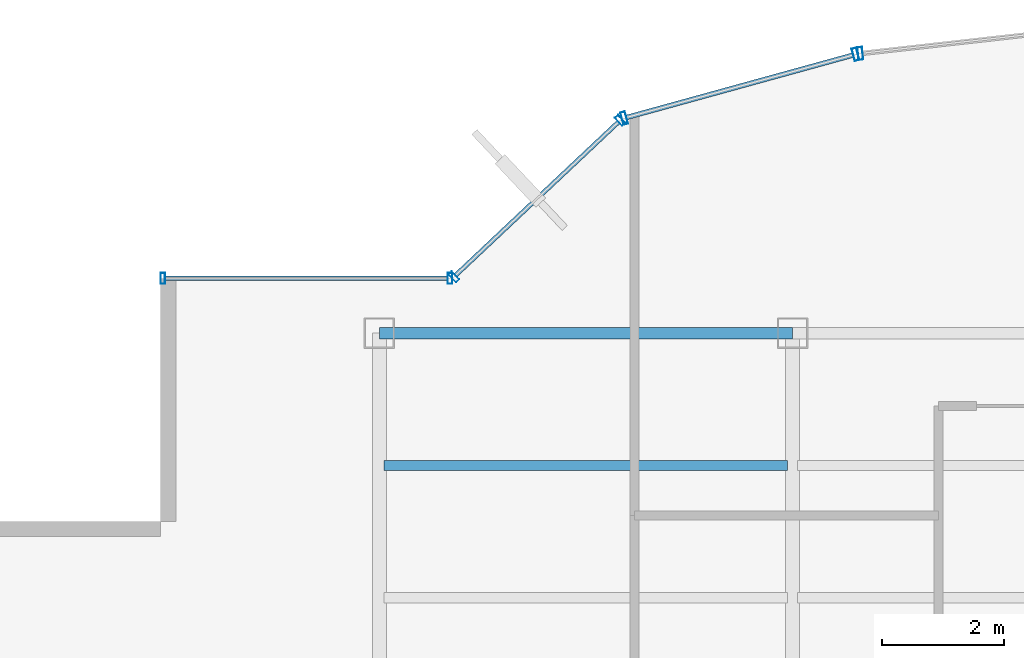
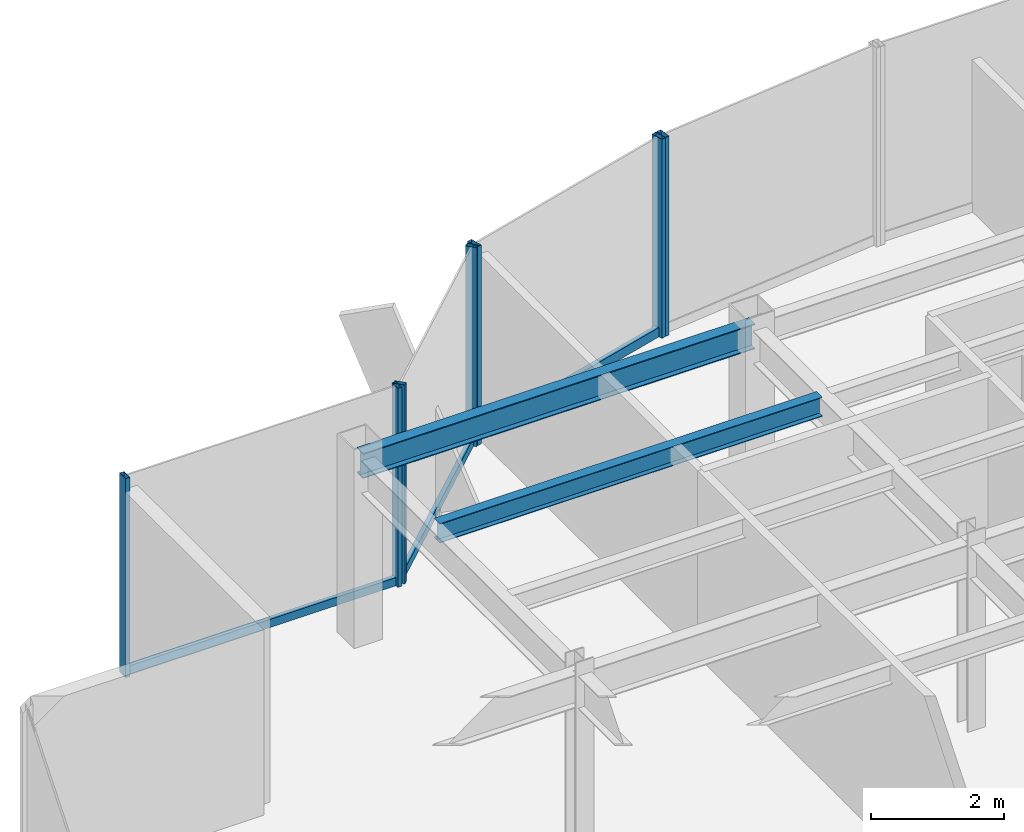
# One storey, part 12 of 22: 10 members, 2 beams, 4 elements without a shape of their own.
"""IFC4 building model written with IfcOpenShell, lengths in metres."""

from ifc_helpers import new_model, si_unit, derived_unit, direction, frame, origin, origin_2d, place, context, subcontext, project, spatial, hollow_rectangle, i_section, extrude, source, transform, mapped, material, material_profile, profile_set, type_object, element, aggregate, save


model = new_model("IFC4")

# Units and contexts
model_context = context("Model", 3, precision=1e-05, world=origin(), true_north=direction((0.0, 1.0)))
body_context = subcontext(model_context, "Body", "Model", "MODEL_VIEW")
ifc_project = project(units=[si_unit("LENGTHUNIT", "METRE"), si_unit("AREAUNIT", "SQUARE_METRE"), si_unit("VOLUMEUNIT", "CUBIC_METRE"), si_unit("PLANEANGLEUNIT", "RADIAN"), si_unit("MASSUNIT", "GRAM", prefix="KILO"), derived_unit("THERMALTRANSMITTANCEUNIT", [(si_unit("POWERUNIT", "WATT"), 1), (si_unit("LENGTHUNIT", "METRE"), -2), (si_unit("THERMODYNAMICTEMPERATUREUNIT", "KELVIN"), -1)])], contexts=[model_context])

# Site, building, storey
site_placement = place(None, origin())
site = spatial("IfcSite", under=ifc_project, at=site_placement, CompositionType="ELEMENT")
building_placement = place(site_placement, origin())
building = spatial("IfcBuilding", under=site, at=building_placement, Name="Skarnbrae Concourse Arena and Tower", CompositionType="ELEMENT")
storey_placement = place(building_placement, frame((0.0, 0.0, 206.85009765625)))
storey = spatial("IfcBuildingStorey", under=building, at=storey_placement, Name="L53", CompositionType="ELEMENT", Elevation=206.85009765625)

# Beams
ifc_material_1 = material(Name="Steel CSA G40.21 350W", Category="steel")
ifc_material_profile_1 = material_profile(ifc_material_1, i_section(OverallWidth=0.19091796875, OverallDepth=0.4599609375, WebThickness=0.010009765625, FlangeThickness=0.01611328125, at=origin_2d()), Name="W460X82")
ifc_profile_set_1 = profile_set([ifc_material_profile_1], Name="Steel CSA G40.21 350W")
beam_type_1 = type_object("IfcBeamType", Name="BM-SPAN-W460X82", PredefinedType="SPANDREL", material=ifc_profile_set_1)
shared_shape_1 = source(origin(), body_context, "Body", "SweptSolid", [
    extrude(i_section(OverallWidth=0.19091796875, OverallDepth=0.4599609375, WebThickness=0.010009765625, FlangeThickness=0.01611328125, at=origin_2d()), origin(), (0.0, 0.0, 1.0), 6.7998046875),
])
beam_1_placement = place(storey_placement, frame((7.60009765625, 34.39990234375, 3.169921875), z_axis=(1.0, 0.0, 0.0), x_axis=(0.0, 1.0, 0.0)))
element("IfcBeam", 1, at=beam_1_placement, inside=storey, type_object=beam_type_1, Name="L53 Perimeter spandrel Y34.4-1", PredefinedType="SPANDREL", context=body_context, shape_type="MappedRepresentation", body=[
    mapped(shared_shape_1, transform((0.0, 0.0, 0.0))),
])
ifc_material_profile_2 = material_profile(ifc_material_1, i_section(OverallWidth=0.1708984375, OverallDepth=0.35498046875, WebThickness=0.007080078125, FlangeThickness=0.01171875, at=origin_2d()), Name="W360X51")
ifc_profile_set_2 = profile_set([ifc_material_profile_2], Name="Steel CSA G40.21 350W")
beam_type_2 = type_object("IfcBeamType", Name="BM-JOIST-W360X51", PredefinedType="JOIST", material=ifc_profile_set_2)
shared_shape_2 = source(origin(), body_context, "Body", "SweptSolid", [
    extrude(i_section(OverallWidth=0.1708984375, OverallDepth=0.35498046875, WebThickness=0.007080078125, FlangeThickness=0.01171875, at=origin_2d()), origin(), (0.0, 0.0, 1.0), 6.64013671875),
])
beam_2_placement = place(storey_placement, frame((7.679931640625, 32.221923828125, 3.222412109375), z_axis=(1.0, 0.0, 0.0), x_axis=(0.0, 1.0, 0.0)))
element("IfcBeam", 2, at=beam_2_placement, inside=storey, type_object=beam_type_2, Name="L53 Secondary floor joist 3.2.1", PredefinedType="JOIST", context=body_context, shape_type="MappedRepresentation", body=[
    mapped(shared_shape_2, transform((0.0, 0.0, 0.0))),
])

# Curtain wall, member
ifc_material_2 = material(Name="Bronze anodised aluminium 6063-T6", Category="aluminium")
curtain_wall_type_1 = type_object("IfcCurtainWallType", Name="CW-SYS-03-PORTAL", PredefinedType="USERDEFINED", material=ifc_material_2)
curtain_wall_1_placement = place(storey_placement, origin())
curtain_wall_1 = element("IfcCurtainWall", 3, at=curtain_wall_1_placement, inside=storey, type_object=curtain_wall_type_1, Name="L53 Unitised curtain wall CW-L53-E12", ObjectType="UNITISED CURTAIN WALL", PredefinedType="USERDEFINED")
ifc_material_profile_3 = material_profile(ifc_material_2, hollow_rectangle(XDim=0.080078125, YDim=0.2099609375, WallThickness=0.00439453125, at=origin_2d()), Name="ALU-MULL-80X210")
ifc_profile_set_3 = profile_set([ifc_material_profile_3], Name="Bronze anodised aluminium 6063-T6")
member_type_1 = type_object("IfcMemberType", Name="CWM-CW-03", PredefinedType="MULLION", material=ifc_profile_set_3)
shared_shape_3 = source(origin(), body_context, "Body", "SweptSolid", [
    extrude(hollow_rectangle(XDim=0.080078125, YDim=0.2099609375, WallThickness=0.00439453125, at=origin_2d()), origin(), (0.0, 0.0, 1.0), 3.64990234375),
])
member_1_placement = place(storey_placement, frame((15.513916015625, 39.001708984375, 0.0), z_axis=(0.0, 0.0, 1.0), x_axis=(-0.993768891873, -0.111460259941, 0.0)))
member_1 = element("IfcMember", 4, at=member_1_placement, type_object=member_type_1, Name="CW-L53-E12 Mullion 2", PredefinedType="MULLION", context=body_context, shape_type="MappedRepresentation", body=[
    mapped(shared_shape_3, transform((0.0, 0.0, 0.0))),
])
aggregate(curtain_wall_1, [member_1])

# Curtain wall, members
curtain_wall_2_placement = place(storey_placement, origin())
curtain_wall_2 = element("IfcCurtainWall", 5, at=curtain_wall_2_placement, inside=storey, type_object=curtain_wall_type_1, Name="L53 Unitised curtain wall CW-L53-E13", ObjectType="UNITISED CURTAIN WALL", PredefinedType="USERDEFINED")
member_2_placement = place(storey_placement, frame((15.435546875, 38.986572265625, 0.0), z_axis=(0.0, 0.0, 1.0), x_axis=(-0.964057388766, -0.265694093207, 0.0)))
member_2 = element("IfcMember", 6, at=member_2_placement, type_object=member_type_1, Name="CW-L53-E13 Mullion 1", PredefinedType="MULLION", context=body_context, shape_type="MappedRepresentation", body=[
    mapped(shared_shape_3, transform((0.0, 0.0, 0.0))),
])
member_3_placement = place(storey_placement, frame((11.62890625, 37.937255859375, 0.0), z_axis=(0.0, 0.0, 1.0), x_axis=(-0.964057388766, -0.265694093207, 0.0)))
member_3 = element("IfcMember", 7, at=member_3_placement, type_object=member_type_1, Name="CW-L53-E13 Mullion 2", PredefinedType="MULLION", context=body_context, shape_type="MappedRepresentation", body=[
    mapped(shared_shape_3, transform((0.0, 0.0, 0.0))),
])

curtain_wall_type_2 = type_object("IfcCurtainWallType", Name="CW-SYS-05-HIGHZONE", PredefinedType="USERDEFINED", material=ifc_material_2)
curtain_wall_3_placement = place(storey_placement, origin())
curtain_wall_3 = element("IfcCurtainWall", 8, at=curtain_wall_3_placement, inside=storey, type_object=curtain_wall_type_2, Name="L53 Unitised curtain wall CW-L53-E14", ObjectType="UNITISED CURTAIN WALL", PredefinedType="USERDEFINED")
ifc_material_profile_4 = material_profile(ifc_material_2, hollow_rectangle(XDim=0.074951171875, YDim=0.179931640625, WallThickness=0.00390625, at=origin_2d()), Name="ALU-MULL-75X180")
ifc_profile_set_4 = profile_set([ifc_material_profile_4], Name="Bronze anodised aluminium 6063-T6")
member_type_2 = type_object("IfcMemberType", Name="CWM-CW-05", PredefinedType="MULLION", material=ifc_profile_set_4)
shared_shape_4 = source(origin(), body_context, "Body", "SweptSolid", [
    extrude(hollow_rectangle(XDim=0.074951171875, YDim=0.179931640625, WallThickness=0.00390625, at=origin_2d()), origin(), (0.0, 0.0, 1.0), 3.64990234375),
])
member_4_placement = place(storey_placement, frame((11.56298828125, 37.90087890625, 0.0), z_axis=(0.0, 0.0, 1.0), x_axis=(-0.728130555214, -0.685438468838, 0.0)))
member_4 = element("IfcMember", 9, at=member_4_placement, type_object=member_type_2, Name="CW-L53-E14 Mullion 1", PredefinedType="MULLION", context=body_context, shape_type="MappedRepresentation", body=[
    mapped(shared_shape_4, transform((0.0, 0.0, 0.0))),
])
member_5_placement = place(storey_placement, frame((8.827392578125, 35.32568359375, 0.0), z_axis=(0.0, 0.0, 1.0), x_axis=(-0.728130555214, -0.685438468838, 0.0)))
member_5 = element("IfcMember", 10, at=member_5_placement, type_object=member_type_2, Name="CW-L53-E14 Mullion 2", PredefinedType="MULLION", context=body_context, shape_type="MappedRepresentation", body=[
    mapped(shared_shape_4, transform((0.0, 0.0, 0.0))),
])

curtain_wall_4_placement = place(storey_placement, origin())
curtain_wall_4 = element("IfcCurtainWall", 11, at=curtain_wall_4_placement, inside=storey, type_object=curtain_wall_type_2, Name="L53 Unitised curtain wall CW-L53-E15", ObjectType="UNITISED CURTAIN WALL", PredefinedType="USERDEFINED")
member_6_placement = place(storey_placement, frame((8.762451171875, 35.300048828125, 0.0), z_axis=(0.0, 0.0, 1.0), x_axis=(-1.0, 0.0, 0.0)))
member_6 = element("IfcMember", 12, at=member_6_placement, type_object=member_type_2, Name="CW-L53-E15 Mullion 1", PredefinedType="MULLION", context=body_context, shape_type="MappedRepresentation", body=[
    mapped(shared_shape_4, transform((0.0, 0.0, 0.0))),
])
member_7_placement = place(storey_placement, frame((4.03759765625, 35.300048828125, 0.0), z_axis=(0.0, 0.0, 1.0), x_axis=(-1.0, 0.0, 0.0)))
member_7 = element("IfcMember", 13, at=member_7_placement, type_object=member_type_2, Name="CW-L53-E15 Mullion 2", PredefinedType="MULLION", context=body_context, shape_type="MappedRepresentation", body=[
    mapped(shared_shape_4, transform((0.0, 0.0, 0.0))),
])
ifc_material_profile_5 = material_profile(ifc_material_2, hollow_rectangle(XDim=0.074951171875, YDim=0.14990234375, WallThickness=0.00390625, at=origin_2d()), Name="ALU-TRAN-75X150")
ifc_profile_set_5 = profile_set([ifc_material_profile_5], Name="Bronze anodised aluminium 6063-T6")
member_type_3 = type_object("IfcMemberType", Name="CWT-CW-05", PredefinedType="USERDEFINED", material=ifc_profile_set_5)
shared_shape_5 = source(origin(), body_context, "Body", "SweptSolid", [
    extrude(hollow_rectangle(XDim=0.074951171875, YDim=0.14990234375, WallThickness=0.00390625, at=origin_2d()), origin(), (0.0, 0.0, 1.0), 4.650146484375),
])
member_8_placement = place(storey_placement, frame((8.72509765625, 35.300048828125, 0.074951171875), z_axis=(-1.0, 0.0, 0.0), x_axis=(0.0, -1.0, 0.0)))
member_8 = element("IfcMember", 14, at=member_8_placement, type_object=member_type_3, Name="CW-L53-E15 Transom 1", ObjectType="TRANSOM", PredefinedType="USERDEFINED", context=body_context, shape_type="MappedRepresentation", body=[
    mapped(shared_shape_5, transform((0.0, 0.0, 0.0))),
])
aggregate(curtain_wall_4, [member_6, member_7, member_8])

# Member
shared_shape_6 = source(origin(), body_context, "Body", "SweptSolid", [
    extrude(hollow_rectangle(XDim=0.074951171875, YDim=0.14990234375, WallThickness=0.00390625, at=origin_2d()), origin(), (0.0, 0.0, 1.0), 3.68212890625),
])
member_9_placement = place(storey_placement, frame((11.53564453125, 37.875244140625, 0.074951171875), z_axis=(-0.728133808476, -0.685435012933, 0.0), x_axis=(0.685435012933, -0.728133808476, 0.0)))
member_9 = element("IfcMember", 15, at=member_9_placement, type_object=member_type_3, Name="CW-L53-E14 Transom 1", ObjectType="TRANSOM", PredefinedType="USERDEFINED", context=body_context, shape_type="MappedRepresentation", body=[
    mapped(shared_shape_6, transform((0.0, 0.0, 0.0))),
])

aggregate(curtain_wall_3, [member_4, member_5, member_9])

ifc_material_profile_6 = material_profile(ifc_material_2, hollow_rectangle(XDim=0.080078125, YDim=0.169921875, WallThickness=0.00439453125, at=origin_2d()), Name="ALU-TRAN-80X170")
ifc_profile_set_6 = profile_set([ifc_material_profile_6], Name="Bronze anodised aluminium 6063-T6")
member_type_4 = type_object("IfcMemberType", Name="CWT-CW-03", PredefinedType="USERDEFINED", material=ifc_profile_set_6)
shared_shape_7 = source(origin(), body_context, "Body", "SweptSolid", [
    extrude(hollow_rectangle(XDim=0.080078125, YDim=0.169921875, WallThickness=0.00439453125, at=origin_2d()), origin(), (0.0, 0.0, 1.0), 3.86865234375),
])
member_10_placement = place(storey_placement, frame((15.397216796875, 38.975830078125, 0.0849609375), z_axis=(-0.964062872218, -0.265674195983, 0.0), x_axis=(0.265674195983, -0.964062872218, 0.0)))
member_10 = element("IfcMember", 16, at=member_10_placement, type_object=member_type_4, Name="CW-L53-E13 Transom 1", ObjectType="TRANSOM", PredefinedType="USERDEFINED", context=body_context, shape_type="MappedRepresentation", body=[
    mapped(shared_shape_7, transform((0.0, 0.0, 0.0))),
])

aggregate(curtain_wall_2, [member_2, member_3, member_10])

save(model, "model.ifc")
